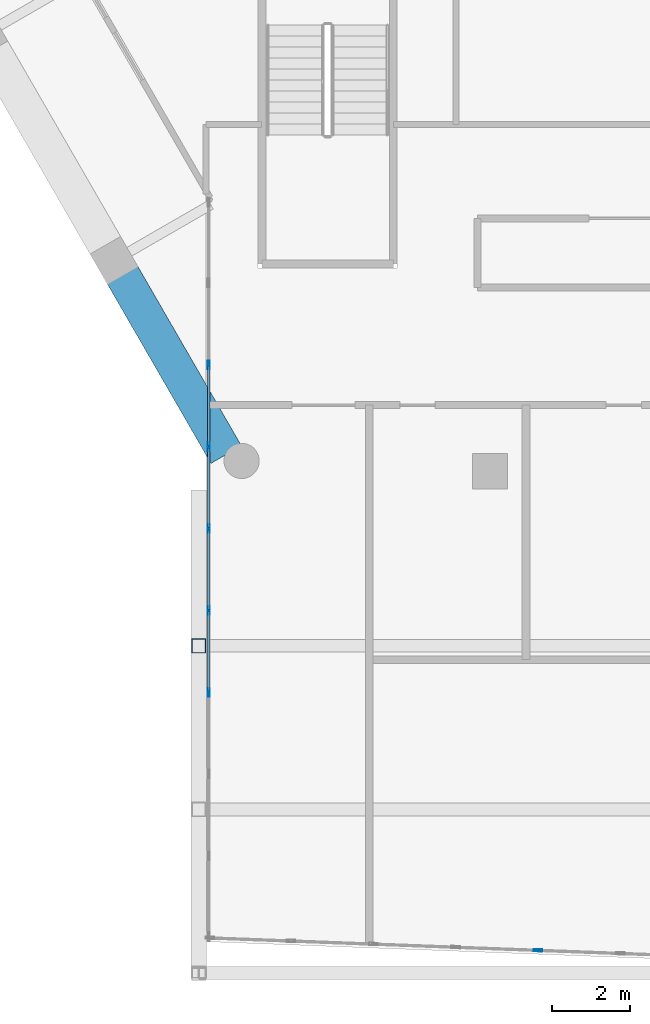
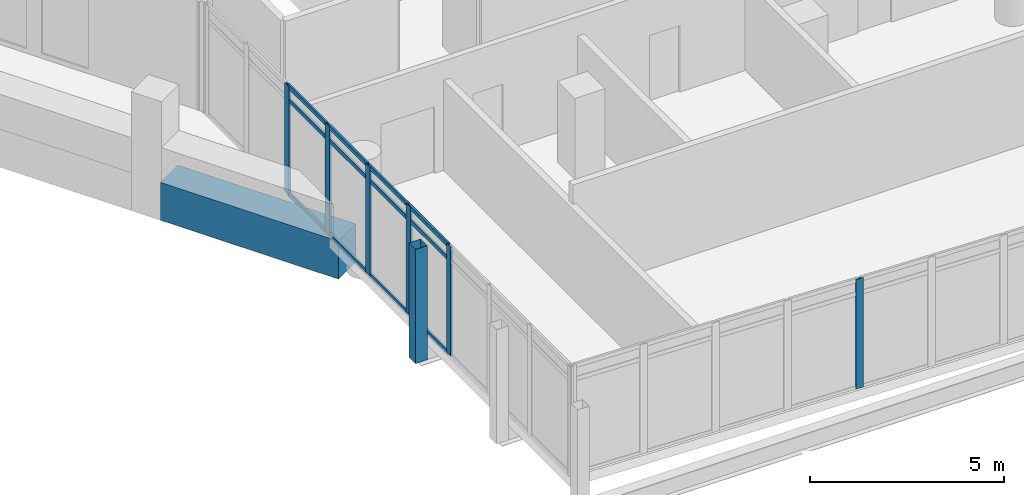
# One storey, part 4 of 34: 19 members, 1 beam, 2 elements without a shape of their own.
"""IFC4 building model written with IfcOpenShell, lengths in metres."""

from ifc_helpers import new_model, si_unit, direction, frame, origin, origin_2d, place, context, subcontext, project, spatial, rectangle, hollow_rectangle, extrude, material, material_profile, profile_set, type_object, element, aggregate, save


model = new_model("IFC4")

# Units and contexts
model_context = context("Model", 3, precision=1e-05, world=origin(), true_north=direction((0.0, 1.0)))
body_context = subcontext(model_context, "Body", "Model", "MODEL_VIEW")
ifc_project = project(units=[si_unit("LENGTHUNIT", "METRE"), si_unit("AREAUNIT", "SQUARE_METRE"), si_unit("VOLUMEUNIT", "CUBIC_METRE"), si_unit("PLANEANGLEUNIT", "RADIAN"), si_unit("MASSUNIT", "GRAM", prefix="KILO")], contexts=[model_context])

# Site, building, storey
site_placement = place(None, origin())
site = spatial("IfcSite", under=ifc_project, at=site_placement, CompositionType="ELEMENT")
building_placement = place(site_placement, origin())
building = spatial("IfcBuilding", under=site, at=building_placement, Name="Ostrander Bayou Hotel Tower", CompositionType="ELEMENT")
storey_placement = place(building_placement, frame((0.0, 0.0, 222.0)))
storey = spatial("IfcBuildingStorey", under=building, at=storey_placement, Name="L55", CompositionType="ELEMENT", Elevation=222.0)

# Curtain wall, members
ifc_material_1 = material(Name="Aluminium and clear glass", Category="aluminium")
curtain_wall_type = type_object("IfcCurtainWallType", Name="CW-BAR glazed wall", PredefinedType="NOTDEFINED", material=ifc_material_1)
curtain_wall_1_placement = place(storey_placement, origin())
curtain_wall_1 = element("IfcCurtainWall", 1, at=curtain_wall_1_placement, inside=storey, type_object=curtain_wall_type, Name="CW-BAR L55:SB5S:E", PredefinedType="NOTDEFINED")
ifc_material_2 = material(Name="Aluminium", Category="aluminium")
ifc_material_profile_1 = material_profile(ifc_material_2, hollow_rectangle(XDim=0.06005859375, YDim=0.219970703125, WallThickness=0.00390625, at=origin_2d()))
ifc_profile_set_1 = profile_set([ifc_material_profile_1], Name="Aluminium")
member_type_1 = type_object("IfcMemberType", Name="CW-BR mullion 60 x 220 mm", PredefinedType="MULLION", material=ifc_profile_set_1)
member_1_placement = place(storey_placement, frame((-10.51220703125, -13.972412109375, 0.0), z_axis=(0.0, 0.0, 1.0), x_axis=(1.0, 0.0, 0.0)))
member_1 = element("IfcMember", 2, at=member_1_placement, type_object=member_type_1, Name="CW-BAR mullion 3", PredefinedType="MULLION", context=body_context, shape_type="SweptSolid", body=[
    extrude(hollow_rectangle(XDim=0.06005859375, YDim=0.219970703125, WallThickness=0.00390625, at=origin_2d()), origin(), (0.0, 0.0, 1.0), 3.449951171875),
])
member_2_placement = place(storey_placement, frame((-10.51220703125, -16.0625, 0.0), z_axis=(0.0, 0.0, 1.0), x_axis=(1.0, 0.0, 0.0)))
member_2 = element("IfcMember", 3, at=member_2_placement, type_object=member_type_1, Name="CW-BAR mullion 4", PredefinedType="MULLION", context=body_context, shape_type="SweptSolid", body=[
    extrude(hollow_rectangle(XDim=0.06005859375, YDim=0.219970703125, WallThickness=0.00390625, at=origin_2d()), origin(), (0.0, 0.0, 1.0), 3.449951171875),
])
member_3_placement = place(storey_placement, frame((-10.51220703125, -18.152587890625, 0.0), z_axis=(0.0, 0.0, 1.0), x_axis=(1.0, 0.0, 0.0)))
member_3 = element("IfcMember", 4, at=member_3_placement, type_object=member_type_1, Name="CW-BAR mullion 5", PredefinedType="MULLION", context=body_context, shape_type="SweptSolid", body=[
    extrude(hollow_rectangle(XDim=0.06005859375, YDim=0.219970703125, WallThickness=0.00390625, at=origin_2d()), origin(), (0.0, 0.0, 1.0), 3.449951171875),
])
member_4_placement = place(storey_placement, frame((-10.51220703125, -20.24267578125, 0.0), z_axis=(0.0, 0.0, 1.0), x_axis=(1.0, 0.0, 0.0)))
member_4 = element("IfcMember", 5, at=member_4_placement, type_object=member_type_1, Name="CW-BAR mullion 6", PredefinedType="MULLION", context=body_context, shape_type="SweptSolid", body=[
    extrude(hollow_rectangle(XDim=0.06005859375, YDim=0.219970703125, WallThickness=0.00390625, at=origin_2d()), origin(), (0.0, 0.0, 1.0), 3.449951171875),
])
member_5_placement = place(storey_placement, frame((-10.51220703125, -22.33251953125, 0.0), z_axis=(0.0, 0.0, 1.0), x_axis=(1.0, 0.0, 0.0)))
member_5 = element("IfcMember", 6, at=member_5_placement, type_object=member_type_1, Name="CW-BAR mullion 7", PredefinedType="MULLION", context=body_context, shape_type="SweptSolid", body=[
    extrude(hollow_rectangle(XDim=0.06005859375, YDim=0.219970703125, WallThickness=0.00390625, at=origin_2d()), origin(), (0.0, 0.0, 1.0), 3.449951171875),
])

# Curtain wall, member
curtain_wall_2_placement = place(storey_placement, origin())
curtain_wall_2 = element("IfcCurtainWall", 7, at=curtain_wall_2_placement, inside=storey, type_object=curtain_wall_type, Name="CW-BAR L55:SB5S:T", PredefinedType="NOTDEFINED")
member_6_placement = place(storey_placement, frame((-2.1025390625, -28.920654296875, 0.0), z_axis=(0.0, 0.0, 1.0), x_axis=(0.037757725854, 0.99928692283, 0.0)))
member_6 = element("IfcMember", 8, at=member_6_placement, type_object=member_type_1, Name="CW-BAR mullion 5", PredefinedType="MULLION", context=body_context, shape_type="SweptSolid", body=[
    extrude(hollow_rectangle(XDim=0.06005859375, YDim=0.219970703125, WallThickness=0.00390625, at=origin_2d()), origin(), (0.0, 0.0, 1.0), 3.449951171875),
])
aggregate(curtain_wall_2, [member_6])

# Member
ifc_material_3 = material(Name="Aluminium", Category="aluminium")
ifc_material_profile_2 = material_profile(ifc_material_3, hollow_rectangle(XDim=0.06005859375, YDim=0.1298828125, WallThickness=0.00390625, at=origin_2d()))
ifc_profile_set_2 = profile_set([ifc_material_profile_2], Name="Aluminium")
member_type_2 = type_object("IfcMemberType", Name="CW-BR transom 60 x 130 mm", PredefinedType="USERDEFINED", material=ifc_profile_set_2)
member_7_placement = place(storey_placement, frame((-10.51220703125, -14.00244140625, 0.030029296875), z_axis=(0.0, -1.0, 0.0), x_axis=(1.0, 0.0, 0.0)))
member_7 = element("IfcMember", 9, at=member_7_placement, type_object=member_type_2, Name="CW-BAR transom 3.1", ObjectType="TRANSOM", PredefinedType="USERDEFINED", context=body_context, shape_type="SweptSolid", body=[
    extrude(hollow_rectangle(XDim=0.06005859375, YDim=0.1298828125, WallThickness=0.00390625, at=origin_2d()), origin(), (0.0, 0.0, 1.0), 2.030029296875),
])

member_8_placement = place(storey_placement, frame((-10.51220703125, -14.00244140625, 3.0), z_axis=(0.0, -1.0, 0.0), x_axis=(1.0, 0.0, 0.0)))
member_8 = element("IfcMember", 10, at=member_8_placement, type_object=member_type_2, Name="CW-BAR transom 3.2", ObjectType="TRANSOM", PredefinedType="USERDEFINED", context=body_context, shape_type="SweptSolid", body=[
    extrude(hollow_rectangle(XDim=0.06005859375, YDim=0.1298828125, WallThickness=0.00390625, at=origin_2d()), origin(), (0.0, 0.0, 1.0), 2.030029296875),
])

member_9_placement = place(storey_placement, frame((-10.51220703125, -14.00244140625, 3.419921875), z_axis=(0.0, -1.0, 0.0), x_axis=(1.0, 0.0, 0.0)))
member_9 = element("IfcMember", 11, at=member_9_placement, type_object=member_type_2, Name="CW-BAR transom 3.3", ObjectType="TRANSOM", PredefinedType="USERDEFINED", context=body_context, shape_type="SweptSolid", body=[
    extrude(hollow_rectangle(XDim=0.06005859375, YDim=0.1298828125, WallThickness=0.00390625, at=origin_2d()), origin(), (0.0, 0.0, 1.0), 2.030029296875),
])

member_10_placement = place(storey_placement, frame((-10.51220703125, -16.092529296875, 0.030029296875), z_axis=(0.0, -1.0, 0.0), x_axis=(1.0, 0.0, 0.0)))
member_10 = element("IfcMember", 12, at=member_10_placement, type_object=member_type_2, Name="CW-BAR transom 4.1", ObjectType="TRANSOM", PredefinedType="USERDEFINED", context=body_context, shape_type="SweptSolid", body=[
    extrude(hollow_rectangle(XDim=0.06005859375, YDim=0.1298828125, WallThickness=0.00390625, at=origin_2d()), origin(), (0.0, 0.0, 1.0), 2.030029296875),
])

member_11_placement = place(storey_placement, frame((-10.51220703125, -16.092529296875, 3.0), z_axis=(0.0, -1.0, 0.0), x_axis=(1.0, 0.0, 0.0)))
member_11 = element("IfcMember", 13, at=member_11_placement, type_object=member_type_2, Name="CW-BAR transom 4.2", ObjectType="TRANSOM", PredefinedType="USERDEFINED", context=body_context, shape_type="SweptSolid", body=[
    extrude(hollow_rectangle(XDim=0.06005859375, YDim=0.1298828125, WallThickness=0.00390625, at=origin_2d()), origin(), (0.0, 0.0, 1.0), 2.030029296875),
])

member_12_placement = place(storey_placement, frame((-10.51220703125, -16.092529296875, 3.419921875), z_axis=(0.0, -1.0, 0.0), x_axis=(1.0, 0.0, 0.0)))
member_12 = element("IfcMember", 14, at=member_12_placement, type_object=member_type_2, Name="CW-BAR transom 4.3", ObjectType="TRANSOM", PredefinedType="USERDEFINED", context=body_context, shape_type="SweptSolid", body=[
    extrude(hollow_rectangle(XDim=0.06005859375, YDim=0.1298828125, WallThickness=0.00390625, at=origin_2d()), origin(), (0.0, 0.0, 1.0), 2.030029296875),
])

member_13_placement = place(storey_placement, frame((-10.51220703125, -18.1826171875, 0.030029296875), z_axis=(0.0, -1.0, 0.0), x_axis=(1.0, 0.0, 0.0)))
member_13 = element("IfcMember", 15, at=member_13_placement, type_object=member_type_2, Name="CW-BAR transom 5.1", ObjectType="TRANSOM", PredefinedType="USERDEFINED", context=body_context, shape_type="SweptSolid", body=[
    extrude(hollow_rectangle(XDim=0.06005859375, YDim=0.1298828125, WallThickness=0.00390625, at=origin_2d()), origin(), (0.0, 0.0, 1.0), 2.030029296875),
])

member_14_placement = place(storey_placement, frame((-10.51220703125, -18.1826171875, 3.0), z_axis=(0.0, -1.0, 0.0), x_axis=(1.0, 0.0, 0.0)))
member_14 = element("IfcMember", 16, at=member_14_placement, type_object=member_type_2, Name="CW-BAR transom 5.2", ObjectType="TRANSOM", PredefinedType="USERDEFINED", context=body_context, shape_type="SweptSolid", body=[
    extrude(hollow_rectangle(XDim=0.06005859375, YDim=0.1298828125, WallThickness=0.00390625, at=origin_2d()), origin(), (0.0, 0.0, 1.0), 2.030029296875),
])

member_15_placement = place(storey_placement, frame((-10.51220703125, -18.1826171875, 3.419921875), z_axis=(0.0, -1.0, 0.0), x_axis=(1.0, 0.0, 0.0)))
member_15 = element("IfcMember", 17, at=member_15_placement, type_object=member_type_2, Name="CW-BAR transom 5.3", ObjectType="TRANSOM", PredefinedType="USERDEFINED", context=body_context, shape_type="SweptSolid", body=[
    extrude(hollow_rectangle(XDim=0.06005859375, YDim=0.1298828125, WallThickness=0.00390625, at=origin_2d()), origin(), (0.0, 0.0, 1.0), 2.030029296875),
])

member_16_placement = place(storey_placement, frame((-10.51220703125, -20.2724609375, 0.030029296875), z_axis=(0.0, -1.0, 0.0), x_axis=(1.0, 0.0, 0.0)))
member_16 = element("IfcMember", 18, at=member_16_placement, type_object=member_type_2, Name="CW-BAR transom 6.1", ObjectType="TRANSOM", PredefinedType="USERDEFINED", context=body_context, shape_type="SweptSolid", body=[
    extrude(hollow_rectangle(XDim=0.06005859375, YDim=0.1298828125, WallThickness=0.00390625, at=origin_2d()), origin(), (0.0, 0.0, 1.0), 2.0302734375),
])

member_17_placement = place(storey_placement, frame((-10.51220703125, -20.2724609375, 3.0), z_axis=(0.0, -1.0, 0.0), x_axis=(1.0, 0.0, 0.0)))
member_17 = element("IfcMember", 19, at=member_17_placement, type_object=member_type_2, Name="CW-BAR transom 6.2", ObjectType="TRANSOM", PredefinedType="USERDEFINED", context=body_context, shape_type="SweptSolid", body=[
    extrude(hollow_rectangle(XDim=0.06005859375, YDim=0.1298828125, WallThickness=0.00390625, at=origin_2d()), origin(), (0.0, 0.0, 1.0), 2.0302734375),
])

member_18_placement = place(storey_placement, frame((-10.51220703125, -20.2724609375, 3.419921875), z_axis=(0.0, -1.0, 0.0), x_axis=(1.0, 0.0, 0.0)))
member_18 = element("IfcMember", 20, at=member_18_placement, type_object=member_type_2, Name="CW-BAR transom 6.3", ObjectType="TRANSOM", PredefinedType="USERDEFINED", context=body_context, shape_type="SweptSolid", body=[
    extrude(hollow_rectangle(XDim=0.06005859375, YDim=0.1298828125, WallThickness=0.00390625, at=origin_2d()), origin(), (0.0, 0.0, 1.0), 2.0302734375),
])

aggregate(curtain_wall_1, [member_1, member_2, member_3, member_4, member_5, member_7, member_8, member_9, member_10, member_11, member_12, member_13, member_14, member_15, member_16, member_17, member_18])

# Beam
ifc_material_4 = material(Name="Concrete f'c 60 MPa", Category="concrete")
ifc_material_profile_3 = material_profile(ifc_material_4, rectangle(XDim=0.89990234375, YDim=1.199951171875, at=origin_2d()))
ifc_profile_set_3 = profile_set([ifc_material_profile_3], Name="Concrete f'c 60 MPa")
beam_type = type_object("IfcBeamType", Name="SP4 spandrel beam 900 x 1200 mm f'c 60 MPa", PredefinedType="SPANDREL", material=ifc_profile_set_3)
beam_placement = place(storey_placement, frame((-12.7177734375, -11.672119140625, -0.60009765625), z_axis=(0.500001430823, -0.866024577697, 0.0), x_axis=(0.866024577697, 0.500001430823, 0.0)))
element("IfcBeam", 21, at=beam_placement, inside=storey, type_object=beam_type, Name="SP4 L55 SW-3", PredefinedType="SPANDREL", context=body_context, shape_type="SweptSolid", body=[
    extrude(rectangle(XDim=0.89990234375, YDim=1.199951171875, at=origin_2d()), origin(), (0.0, 0.0, 1.0), 5.302734375),
])

# Member
ifc_material_5 = material(Name="Steel ASTM A500 Gr C", Category="steel")
ifc_material_profile_4 = material_profile(ifc_material_5, hollow_rectangle(XDim=0.355712890625, YDim=0.355712890625, WallThickness=0.0087890625, at=origin_2d()))
ifc_profile_set_4 = profile_set([ifc_material_profile_4], Name="Steel ASTM A500 Gr C")
member_type_3 = type_object("IfcMemberType", Name="TH3 bar hanger HSS14x14x3/8", PredefinedType="POST", material=ifc_profile_set_4)
member_19_placement = place(storey_placement, frame((-10.764892578125, -21.147705078125, -0.760986328125), z_axis=(0.0, 0.0, 1.0), x_axis=(1.0, 0.0, 0.0)))
element("IfcMember", 22, at=member_19_placement, inside=storey, type_object=member_type_3, Name="TH3 SB5SA H1-1", PredefinedType="POST", context=body_context, shape_type="SweptSolid", body=[
    extrude(hollow_rectangle(XDim=0.355712890625, YDim=0.355712890625, WallThickness=0.0087890625, at=origin_2d()), origin(), (0.0, 0.0, 1.0), 3.599853515625),
])

save(model, "model.ifc")
